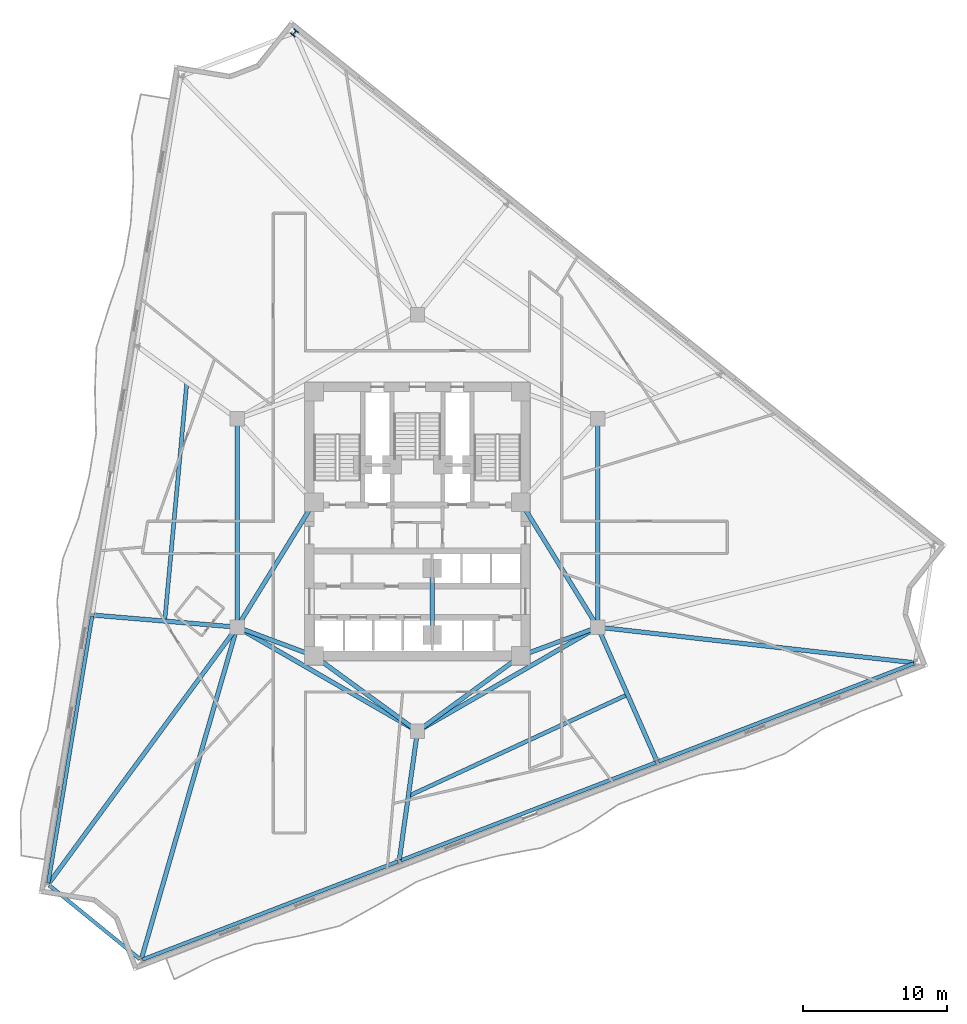
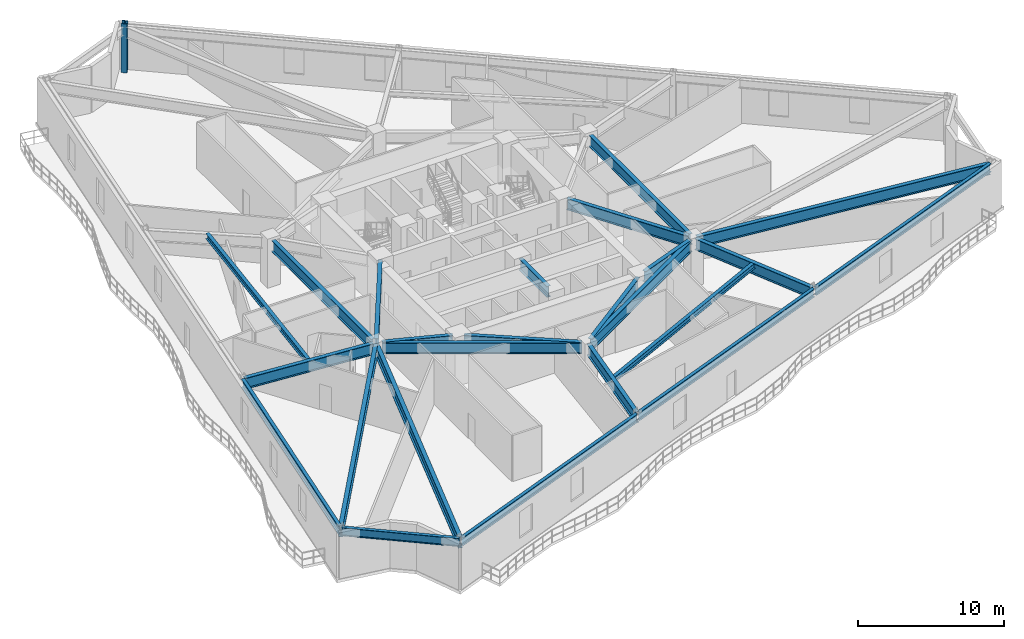
# One storey, part 2 of 10: 24 beams, 1 column.
"""IFC4 building model written with IfcOpenShell, lengths in metres."""

from ifc_helpers import new_model, si_unit, direction, frame, origin, origin_2d, place, context, subcontext, project, spatial, i_section, extrude, material, material_profile, profile_set, type_object, element, save


model = new_model("IFC4")

# Units and contexts
model_context = context("Model", 3, precision=1e-05, world=origin(), true_north=direction((0.0, 1.0)))
body_context = subcontext(model_context, "Body", "Model", "MODEL_VIEW")
ifc_project = project(units=[si_unit("LENGTHUNIT", "METRE"), si_unit("AREAUNIT", "SQUARE_METRE"), si_unit("VOLUMEUNIT", "CUBIC_METRE"), si_unit("PLANEANGLEUNIT", "RADIAN"), si_unit("MASSUNIT", "GRAM", prefix="KILO")], contexts=[model_context])

# Site, building, storey
site_placement = place(None, origin())
site = spatial("IfcSite", under=ifc_project, at=site_placement, CompositionType="ELEMENT")
building_placement = place(site_placement, origin())
building = spatial("IfcBuilding", under=site, at=building_placement, Name="Apsidion Concourse Tower", CompositionType="ELEMENT")
storey_placement = place(building_placement, frame((0.0, 0.0, 144.5)))
storey = spatial("IfcBuildingStorey", under=building, at=storey_placement, Name="L33", CompositionType="ELEMENT", Elevation=144.5)

# Column
ifc_material = material(Name="Structural steel ASTM A992 Grade 50", Category="steel")
ifc_material_profile_1 = material_profile(ifc_material, i_section(OverallWidth=0.410888671875, OverallDepth=0.43408203125, WebThickness=0.035888671875, FlangeThickness=0.057373046875, at=origin_2d()), Name="W14X311")
ifc_profile_set_1 = profile_set([ifc_material_profile_1], Name="Structural steel ASTM A992 Grade 50")
column_type = type_object("IfcColumnType", Name="COL-W14-311", PredefinedType="COLUMN", material=ifc_profile_set_1)
column_placement = place(storey_placement, frame((-8.565185546875, 34.1376953125, 0.0), z_axis=(0.0, 0.0, 1.0), x_axis=(-0.780757676633, 0.624833938242, 0.0)))
element("IfcColumn", 1, at=column_placement, inside=storey, type_object=column_type, Name="L33 Rotated Perimeter Column PC12", PredefinedType="COLUMN", context=body_context, shape_type="SweptSolid", body=[
    extrude(i_section(OverallWidth=0.410888671875, OverallDepth=0.43408203125, WebThickness=0.035888671875, FlangeThickness=0.057373046875, at=origin_2d()), origin(), (0.0, 0.0, 1.0), 4.10009765625),
])

# Beams
ifc_material_profile_2 = material_profile(ifc_material, i_section(OverallWidth=0.280029296875, OverallDepth=0.462890625, WebThickness=0.0107421875, FlangeThickness=0.017333984375, at=origin_2d()), Name="W18X76")
ifc_profile_set_2 = profile_set([ifc_material_profile_2], Name="Structural steel ASTM A992 Grade 50")
beam_type_1 = type_object("IfcBeamType", Name="BM-FL-W18M", PredefinedType="BEAM", material=ifc_profile_set_2)
beam_1_placement = place(storey_placement, frame((-16.05908203125, 9.798095703125, 3.618408203125), z_axis=(-0.092270423312, -0.995733985049, 0.0), x_axis=(0.995733985049, -0.092270423312, 0.0)))
element("IfcBeam", 2, at=beam_1_placement, inside=storey, type_object=beam_type_1, Name="L33 Secondary Floor Beam SEC-F1", PredefinedType="BEAM", context=body_context, shape_type="SweptSolid", body=[
    extrude(i_section(OverallWidth=0.280029296875, OverallDepth=0.462890625, WebThickness=0.0107421875, FlangeThickness=0.017333984375, at=origin_2d()), origin(), (0.0, 0.0, 1.0), 16.698486328125),
])
beam_2_placement = place(storey_placement, frame((-0.6376953125, -19.018310546875, 3.618408203125), z_axis=(0.907312361657, 0.420457225392, 0.0), x_axis=(-0.420457225392, 0.907312361657, 0.0)))
element("IfcBeam", 3, at=beam_2_placement, inside=storey, type_object=beam_type_1, Name="L33 Secondary Floor Beam SEC-F2", PredefinedType="BEAM", context=body_context, shape_type="SweptSolid", body=[
    extrude(i_section(OverallWidth=0.280029296875, OverallDepth=0.462890625, WebThickness=0.0107421875, FlangeThickness=0.017333984375, at=origin_2d()), origin(), (0.0, 0.0, 1.0), 16.82568359375),
])
ifc_material_profile_3 = material_profile(ifc_material, i_section(OverallWidth=0.31005859375, OverallDepth=0.931884765625, WebThickness=0.02099609375, FlangeThickness=0.034423828125, at=origin_2d()), Name="W36X210")
ifc_profile_set_3 = profile_set([ifc_material_profile_3], Name="Structural steel ASTM A992 Grade 50")
beam_type_2 = type_object("IfcBeamType", Name="BM-G-W36", PredefinedType="USERDEFINED", material=ifc_profile_set_3)
beam_3_placement = place(storey_placement, frame((-12.185302734375, -7.389892578125, 3.384033203125), z_axis=(0.936913021145, -0.349562570664, 0.0), x_axis=(0.349562570664, 0.936913021145, 0.0)))
element("IfcBeam", 4, at=beam_3_placement, inside=storey, type_object=beam_type_2, Name="L33 Core Coupling Girder IC1-SC1", ObjectType="GIRDER", PredefinedType="USERDEFINED", context=body_context, shape_type="SweptSolid", body=[
    extrude(i_section(OverallWidth=0.31005859375, OverallDepth=0.931884765625, WebThickness=0.02099609375, FlangeThickness=0.034423828125, at=origin_2d()), origin(), (0.0, 0.0, 1.0), 4.921142578125),
])
beam_4_placement = place(storey_placement, frame((-12.35009765625, -6.909423828125, 3.384033203125), z_axis=(0.524524009763, 0.851395656074, 0.0), x_axis=(-0.851395656074, 0.524524009763, 0.0)))
element("IfcBeam", 5, at=beam_4_placement, inside=storey, type_object=beam_type_2, Name="L33 Core Coupling Girder IC1-SC6", ObjectType="GIRDER", PredefinedType="USERDEFINED", context=body_context, shape_type="SweptSolid", body=[
    extrude(i_section(OverallWidth=0.31005859375, OverallDepth=0.931884765625, WebThickness=0.02099609375, FlangeThickness=0.034423828125, at=origin_2d()), origin(), (0.0, 0.0, 1.0), 9.41845703125),
])
beam_5_placement = place(storey_placement, frame((12.185302734375, -7.389892578125, 3.384033203125), z_axis=(-0.936913021145, -0.349562570664, 0.0), x_axis=(0.349562570664, -0.936913021145, 0.0)))
element("IfcBeam", 6, at=beam_5_placement, inside=storey, type_object=beam_type_2, Name="L33 Core Coupling Girder IC2-SC2", ObjectType="GIRDER", PredefinedType="USERDEFINED", context=body_context, shape_type="SweptSolid", body=[
    extrude(i_section(OverallWidth=0.31005859375, OverallDepth=0.931884765625, WebThickness=0.02099609375, FlangeThickness=0.034423828125, at=origin_2d()), origin(), (0.0, 0.0, 1.0), 4.921142578125),
])
beam_6_placement = place(storey_placement, frame((12.35009765625, -6.909423828125, 3.384033203125), z_axis=(-0.524524009763, 0.851395656074, 0.0), x_axis=(-0.851395656074, -0.524524009763, 0.0)))
element("IfcBeam", 7, at=beam_6_placement, inside=storey, type_object=beam_type_2, Name="L33 Core Coupling Girder IC2-SC3", ObjectType="GIRDER", PredefinedType="USERDEFINED", context=body_context, shape_type="SweptSolid", body=[
    extrude(i_section(OverallWidth=0.31005859375, OverallDepth=0.931884765625, WebThickness=0.02099609375, FlangeThickness=0.034423828125, at=origin_2d()), origin(), (0.0, 0.0, 1.0), 9.41845703125),
])
for number, where, z_axis, x_axis, name in (
    (8, (-0.3232421875, -14.264404296875, 3.384033203125), (-0.807993498909, 0.589191399905, 0.0), (-0.589191399905, -0.807993498909, 0.0), "L33 Core Coupling Girder IC6-SC1"),
    (9, (0.3232421875, -14.264404296875, 3.384033203125), (0.807993498909, 0.589191399905, 0.0), (-0.589191399905, 0.807993498909, 0.0), "L33 Core Coupling Girder IC6-SC2"),
):
    element("IfcBeam", number, at=place(storey_placement, frame(where, z_axis=z_axis, x_axis=x_axis)), inside=storey, type_object=beam_type_2, Name=name, ObjectType="GIRDER", PredefinedType="USERDEFINED", context=body_context, shape_type="SweptSolid", body=[
        extrude(i_section(OverallWidth=0.31005859375, OverallDepth=0.931884765625, WebThickness=0.02099609375, FlangeThickness=0.034423828125, at=origin_2d()), origin(), (0.0, 0.0, 1.0), 8.11083984375),
    ])
for number, where, z_axis, x_axis, name in (
    (10, (-12.56005859375, -6.85009765625, 3.384033203125), (0.0, 1.0, 0.0), (-1.0, 0.0, 0.0), "L33 Core Coupling Girder IC1-IC5"),
    (11, (12.56005859375, 6.85009765625, 3.384033203125), (0.0, -1.0, 0.0), (1.0, 0.0, 0.0), "L33 Core Coupling Girder IC3-IC2"),
):
    element("IfcBeam", number, at=place(storey_placement, frame(where, z_axis=z_axis, x_axis=x_axis)), inside=storey, type_object=beam_type_2, Name=name, ObjectType="GIRDER", PredefinedType="USERDEFINED", context=body_context, shape_type="SweptSolid", body=[
        extrude(i_section(OverallWidth=0.31005859375, OverallDepth=0.931884765625, WebThickness=0.02099609375, FlangeThickness=0.034423828125, at=origin_2d()), origin(), (0.0, 0.0, 1.0), 13.7001953125),
    ])
for number, where, z_axis, x_axis, name in (
    (12, (12.213623046875, -7.449951171875, 3.384033203125), (-0.866070471464, -0.499921932364, 0.0), (0.499921932364, -0.866070471464, 0.0), "L33 Core Coupling Girder IC2-IC6"),
    (13, (-0.346435546875, -14.300048828125, 3.384033203125), (-0.866070471464, 0.499921932364, 0.0), (-0.499921932364, -0.866070471464, 0.0), "L33 Core Coupling Girder IC6-IC1"),
):
    element("IfcBeam", number, at=place(storey_placement, frame(where, z_axis=z_axis, x_axis=x_axis)), inside=storey, type_object=beam_type_2, Name=name, ObjectType="GIRDER", PredefinedType="USERDEFINED", context=body_context, shape_type="SweptSolid", body=[
        extrude(i_section(OverallWidth=0.31005859375, OverallDepth=0.931884765625, WebThickness=0.02099609375, FlangeThickness=0.034423828125, at=origin_2d()), origin(), (0.0, 0.0, 1.0), 13.702392578125),
    ])
beam_7_placement = place(storey_placement, frame((1.02490234375, -3.550048828125, 3.384033203125), z_axis=(0.0, -1.0, 0.0), x_axis=(1.0, 0.0, 0.0)))
element("IfcBeam", 14, at=beam_7_placement, inside=storey, type_object=beam_type_2, Name="L33 Core Coupling Girder CC5-CC6", ObjectType="GIRDER", PredefinedType="USERDEFINED", context=body_context, shape_type="SweptSolid", body=[
    extrude(i_section(OverallWidth=0.31005859375, OverallDepth=0.931884765625, WebThickness=0.02099609375, FlangeThickness=0.034423828125, at=origin_2d()), origin(), (0.0, 0.0, 1.0), 3.849853515625),
])
beam_8_placement = place(storey_placement, frame((-12.779296875, -7.231689453125, 3.384033203125), z_axis=(-0.996528374011, 0.083253827489, 0.0), x_axis=(-0.083253827489, -0.996528374011, 0.0)))
element("IfcBeam", 15, at=beam_8_placement, inside=storey, type_object=beam_type_2, Name="L33 Radial Floor Girder RAD-03", ObjectType="GIRDER", PredefinedType="USERDEFINED", context=body_context, shape_type="SweptSolid", body=[
    extrude(i_section(OverallWidth=0.31005859375, OverallDepth=0.931884765625, WebThickness=0.02099609375, FlangeThickness=0.034423828125, at=origin_2d()), origin(), (0.0, 0.0, 1.0), 9.79443359375),
])
beam_9_placement = place(storey_placement, frame((-12.690185546875, -7.42724609375, 3.384033203125), z_axis=(-0.592104054542, -0.80586151949, 0.0), x_axis=(0.80586151949, -0.592104054542, 0.0)))
element("IfcBeam", 16, at=beam_9_placement, inside=storey, type_object=beam_type_2, Name="L33 Radial Floor Girder RAD-04", ObjectType="GIRDER", PredefinedType="USERDEFINED", context=body_context, shape_type="SweptSolid", body=[
    extrude(i_section(OverallWidth=0.31005859375, OverallDepth=0.931884765625, WebThickness=0.02099609375, FlangeThickness=0.034423828125, at=origin_2d()), origin(), (0.0, 0.0, 1.0), 21.907470703125),
])
beam_10_placement = place(storey_placement, frame((-12.62109375, -7.46142578125, 3.384033203125), z_axis=(-0.277124061606, -0.960834145146, 0.0), x_axis=(0.960834145146, -0.277124061606, 0.0)))
element("IfcBeam", 17, at=beam_10_placement, inside=storey, type_object=beam_type_2, Name="L33 Radial Floor Girder RAD-05", ObjectType="GIRDER", PredefinedType="USERDEFINED", context=body_context, shape_type="SweptSolid", body=[
    extrude(i_section(OverallWidth=0.31005859375, OverallDepth=0.931884765625, WebThickness=0.02099609375, FlangeThickness=0.034423828125, at=origin_2d()), origin(), (0.0, 0.0, 1.0), 23.810302734375),
])
beam_11_placement = place(storey_placement, frame((-0.03076171875, -14.7177734375, 3.384033203125), z_axis=(-0.139728877642, -0.990189800368, 0.0), x_axis=(0.990189800368, -0.139728877642, 0.0)))
element("IfcBeam", 18, at=beam_11_placement, inside=storey, type_object=beam_type_2, Name="L33 Radial Floor Girder RAD-06", ObjectType="GIRDER", PredefinedType="USERDEFINED", context=body_context, shape_type="SweptSolid", body=[
    extrude(i_section(OverallWidth=0.31005859375, OverallDepth=0.931884765625, WebThickness=0.02099609375, FlangeThickness=0.034423828125, at=origin_2d()), origin(), (0.0, 0.0, 1.0), 8.80615234375),
])
beam_12_placement = place(storey_placement, frame((12.648681640625, -7.451416015625, 3.384033203125), z_axis=(0.403246465544, -0.915091409656, 0.0), x_axis=(0.915091409656, 0.403246465544, 0.0)))
element("IfcBeam", 19, at=beam_12_placement, inside=storey, type_object=beam_type_2, Name="L33 Radial Floor Girder RAD-07", ObjectType="GIRDER", PredefinedType="USERDEFINED", context=body_context, shape_type="SweptSolid", body=[
    extrude(i_section(OverallWidth=0.31005859375, OverallDepth=0.931884765625, WebThickness=0.02099609375, FlangeThickness=0.034423828125, at=origin_2d()), origin(), (0.0, 0.0, 1.0), 9.93896484375),
])
beam_13_placement = place(storey_placement, frame((12.778564453125, -7.274658203125, 3.384033203125), z_axis=(0.993722887176, -0.111869671955, 0.0), x_axis=(0.111869671955, 0.993722887176, 0.0)))
element("IfcBeam", 20, at=beam_13_placement, inside=storey, type_object=beam_type_2, Name="L33 Radial Floor Girder RAD-08", ObjectType="GIRDER", PredefinedType="USERDEFINED", context=body_context, shape_type="SweptSolid", body=[
    extrude(i_section(OverallWidth=0.31005859375, OverallDepth=0.931884765625, WebThickness=0.02099609375, FlangeThickness=0.034423828125, at=origin_2d()), origin(), (0.0, 0.0, 1.0), 21.928466796875),
])
ifc_material_profile_4 = material_profile(ifc_material, i_section(OverallWidth=0.256103515625, OverallDepth=0.693115234375, WebThickness=0.014404296875, FlangeThickness=0.023681640625, at=origin_2d()), Name="W27X114")
ifc_profile_set_4 = profile_set([ifc_material_profile_4], Name="Structural steel ASTM A992 Grade 50")
beam_type_3 = type_object("IfcBeamType", Name="BM-SP-W27", PredefinedType="SPANDREL", material=ifc_profile_set_4)
beam_14_placement = place(storey_placement, frame((-22.65576171875, -6.506591796875, 3.50341796875), z_axis=(-0.162122790078, -0.986770591849, 0.0), x_axis=(0.986770591849, -0.162122790078, 0.0)))
element("IfcBeam", 21, at=beam_14_placement, inside=storey, type_object=beam_type_3, Name="L33 Perimeter Spandrel Girder SP-03", PredefinedType="SPANDREL", context=body_context, shape_type="SweptSolid", body=[
    extrude(i_section(OverallWidth=0.256103515625, OverallDepth=0.693115234375, WebThickness=0.014404296875, FlangeThickness=0.023681640625, at=origin_2d()), origin(), (0.0, 0.0, 1.0), 18.8056640625),
])
beam_15_placement = place(storey_placement, frame((-25.643310546875, -25.225341796875, 3.50341796875), z_axis=(0.775340926365, -0.631542910579, 0.0), x_axis=(0.631542910579, 0.775340926365, 0.0)))
element("IfcBeam", 22, at=beam_15_placement, inside=storey, type_object=beam_type_3, Name="L33 Perimeter Spandrel Girder SP-04", PredefinedType="SPANDREL", context=body_context, shape_type="SweptSolid", body=[
    extrude(i_section(OverallWidth=0.256103515625, OverallDepth=0.693115234375, WebThickness=0.014404296875, FlangeThickness=0.023681640625, at=origin_2d()), origin(), (0.0, 0.0, 1.0), 8.1494140625),
])
for number, where, z_axis, x_axis, name in (
    (23, (-19.15380859375, -30.3994140625, 3.50341796875), (0.933579256938, 0.358370996335, 0.0), (-0.358370996335, 0.933579256938, 0.0), "L33 Perimeter Spandrel Girder SP-05"),
    (24, (-1.181884765625, -23.500732421875, 3.50341796875), (0.933579256938, 0.358370996335, 0.0), (-0.358370996335, 0.933579256938, 0.0), "L33 Perimeter Spandrel Girder SP-06"),
    (25, (16.7900390625, -16.60205078125, 3.50341796875), (0.933579256938, 0.358370996335, 0.0), (-0.358370996335, 0.933579256938, 0.0), "L33 Perimeter Spandrel Girder SP-07"),
):
    element("IfcBeam", number, at=place(storey_placement, frame(where, z_axis=z_axis, x_axis=x_axis)), inside=storey, type_object=beam_type_3, Name=name, PredefinedType="SPANDREL", context=body_context, shape_type="SweptSolid", body=[
        extrude(i_section(OverallWidth=0.256103515625, OverallDepth=0.693115234375, WebThickness=0.014404296875, FlangeThickness=0.023681640625, at=origin_2d()), origin(), (0.0, 0.0, 1.0), 19.050537109375),
    ])

save(model, "model.ifc")
